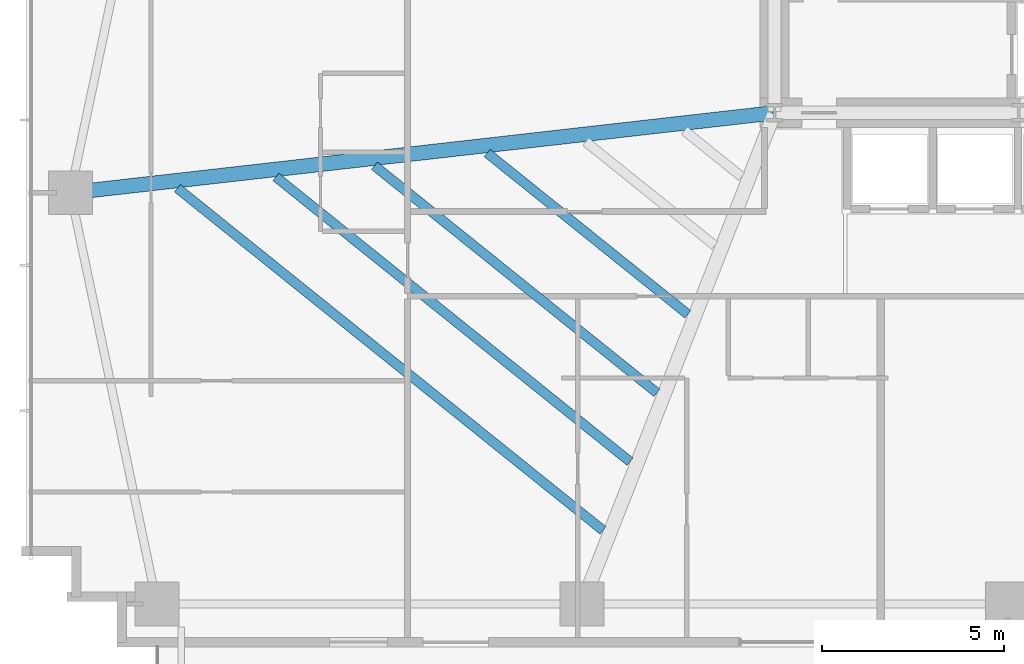
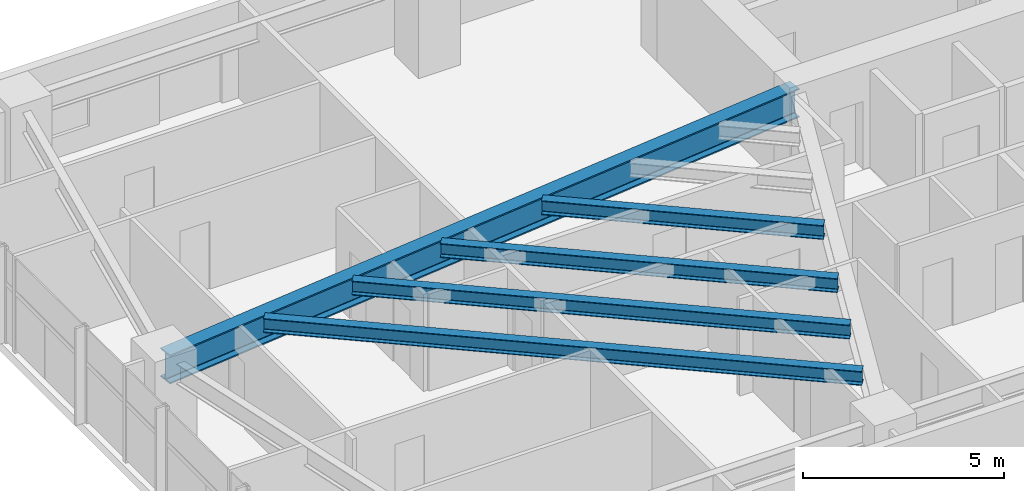
# One storey, part 5 of 25: 5 beams.
"""IFC4 building model written with IfcOpenShell, lengths in metres."""

from ifc_helpers import new_model, si_unit, direction, frame, origin, origin_2d, place, context, subcontext, project, spatial, i_section, extrude, source, transform, mapped, material, material_profile, profile_set, type_object, type_shapes, element, save


model = new_model("IFC4")

# Units and contexts
model_context = context("Model", 3, precision=1e-05, world=origin(), true_north=direction((0.0, 1.0)))
body_context = subcontext(model_context, "Body", "Model", "MODEL_VIEW")
ifc_project = project(units=[si_unit("LENGTHUNIT", "METRE"), si_unit("AREAUNIT", "SQUARE_METRE"), si_unit("VOLUMEUNIT", "CUBIC_METRE"), si_unit("PLANEANGLEUNIT", "RADIAN"), si_unit("MASSUNIT", "GRAM", prefix="KILO")], contexts=[model_context])

# Site, building, storey
site_placement = place(None, origin())
site = spatial("IfcSite", under=ifc_project, at=site_placement, CompositionType="ELEMENT")
building_placement = place(site_placement, origin())
building = spatial("IfcBuilding", under=site, at=building_placement, Name="Astriad Promenade Condominiums", CompositionType="ELEMENT")
storey_placement = place(building_placement, frame((0.0, 0.0, 58.199951171875)))
storey = spatial("IfcBuildingStorey", under=building, at=storey_placement, Name="L16", CompositionType="ELEMENT", Elevation=58.199951171875)

# Beams
ifc_material = material(Name="Steel ASTM A992 Grade 50", Category="steel")
ifc_material_profile_1 = material_profile(ifc_material, i_section(OverallWidth=0.4013671875, OverallDepth=0.877197265625, WebThickness=0.022216796875, FlangeThickness=0.039794921875, FilletRadius=0.02294921875, at=origin_2d()), Name="W33X263")
ifc_profile_set_1 = profile_set([ifc_material_profile_1], Name="Steel ASTM A992 Grade 50")
beam_type_1 = type_object("IfcBeamType", Name="STEEL PRIMARY GIRDER W33X263", PredefinedType="BEAM", material=ifc_profile_set_1)
shared_shape_1 = source(origin(), body_context, "Body", "SweptSolid", [
    extrude(i_section(OverallWidth=0.4013671875, OverallDepth=0.877197265625, WebThickness=0.022216796875, FlangeThickness=0.039794921875, FilletRadius=0.02294921875, at=origin_2d()), origin(), (0.0, 0.0, 1.0), 19.424560546875),
])
type_shapes(beam_type_1, [shared_shape_1])
beam_1_placement = place(storey_placement, frame((7.059814453125, 15.20458984375, 2.50146484375), z_axis=(0.993618675315, 0.11279152479, 0.0), x_axis=(-0.11279152479, 0.993618675315, 0.0)))
element("IfcBeam", 1, at=beam_1_placement, inside=storey, type_object=beam_type_1, Name="Primary Floor Girder PG-WM-L16", PredefinedType="BEAM", context=body_context, shape_type="MappedRepresentation", body=[
    mapped(shared_shape_1, transform((0.0, 0.0, 0.0), scale=1.0)),
])
ifc_material_profile_2 = material_profile(ifc_material, i_section(OverallWidth=0.26318359375, OverallDepth=0.425537109375, WebThickness=0.01318359375, FlangeThickness=0.022216796875, FilletRadius=0.013916015625, at=origin_2d()), Name="W16X89")
ifc_profile_set_2 = profile_set([ifc_material_profile_2], Name="Steel ASTM A992 Grade 50")
beam_type_2 = type_object("IfcBeamType", Name="STEEL FLOOR JOIST W16X89", PredefinedType="JOIST", material=ifc_profile_set_2)
shared_shape_2 = source(origin(), body_context, "Body", "SweptSolid", [
    extrude(i_section(OverallWidth=0.26318359375, OverallDepth=0.425537109375, WebThickness=0.01318359375, FlangeThickness=0.022216796875, FilletRadius=0.013916015625, at=origin_2d()), origin(), (0.0, 0.0, 1.0), 15.033447265625),
])
beam_2_placement = place(storey_placement, frame((9.961181640625, 15.32470703125, 2.727294921875), z_axis=(0.779353434302, -0.626584570862, 0.0), x_axis=(0.626584570862, 0.779353434302, 0.0)))
element("IfcBeam", 2, at=beam_2_placement, inside=storey, type_object=beam_type_2, Name="Secondary Composite Floor Joist JW1-1-L16", PredefinedType="JOIST", context=body_context, shape_type="MappedRepresentation", body=[
    mapped(shared_shape_2, transform((0.0, 0.0, 0.0), scale=1.0)),
])
shared_shape_3 = source(origin(), body_context, "Body", "SweptSolid", [
    extrude(i_section(OverallWidth=0.26318359375, OverallDepth=0.425537109375, WebThickness=0.01318359375, FlangeThickness=0.022216796875, FilletRadius=0.013916015625, at=origin_2d()), origin(), (0.0, 0.0, 1.0), 12.50439453125),
])
beam_3_placement = place(storey_placement, frame((12.67431640625, 15.6328125, 2.727294921875), z_axis=(0.77935791062, -0.626579003122, 0.0), x_axis=(0.626579003122, 0.77935791062, 0.0)))
element("IfcBeam", 3, at=beam_3_placement, inside=storey, type_object=beam_type_2, Name="Secondary Composite Floor Joist JW1-2-L16", PredefinedType="JOIST", context=body_context, shape_type="MappedRepresentation", body=[
    mapped(shared_shape_3, transform((0.0, 0.0, 0.0), scale=1.0)),
])
shared_shape_4 = source(origin(), body_context, "Body", "SweptSolid", [
    extrude(i_section(OverallWidth=0.26318359375, OverallDepth=0.425537109375, WebThickness=0.01318359375, FlangeThickness=0.022216796875, FilletRadius=0.013916015625, at=origin_2d()), origin(), (0.0, 0.0, 1.0), 9.97509765625),
])
beam_4_placement = place(storey_placement, frame((15.387451171875, 15.94091796875, 2.727294921875), z_axis=(0.779355047887, -0.626582563859, 0.0), x_axis=(0.626582563859, 0.779355047887, 0.0)))
element("IfcBeam", 4, at=beam_4_placement, inside=storey, type_object=beam_type_2, Name="Secondary Composite Floor Joist JW1-3-L16", PredefinedType="JOIST", context=body_context, shape_type="MappedRepresentation", body=[
    mapped(shared_shape_4, transform((0.0, 0.0, 0.0), scale=1.0)),
])
shared_shape_5 = source(origin(), body_context, "Body", "SweptSolid", [
    extrude(i_section(OverallWidth=0.26318359375, OverallDepth=0.425537109375, WebThickness=0.01318359375, FlangeThickness=0.022216796875, FilletRadius=0.013916015625, at=origin_2d()), origin(), (0.0, 0.0, 1.0), 7.08447265625),
])
type_shapes(beam_type_2, [shared_shape_2, shared_shape_3, shared_shape_4, shared_shape_5])
beam_5_placement = place(storey_placement, frame((18.48828125, 16.292724609375, 2.727294921875), z_axis=(0.779353562297, -0.62658441166, 0.0), x_axis=(0.62658441166, 0.779353562297, 0.0)))
element("IfcBeam", 5, at=beam_5_placement, inside=storey, type_object=beam_type_2, Name="Secondary Composite Floor Joist JW1-4-L16", PredefinedType="JOIST", context=body_context, shape_type="MappedRepresentation", body=[
    mapped(shared_shape_5, transform((0.0, 0.0, 0.0), scale=1.0)),
])

save(model, "model.ifc")
